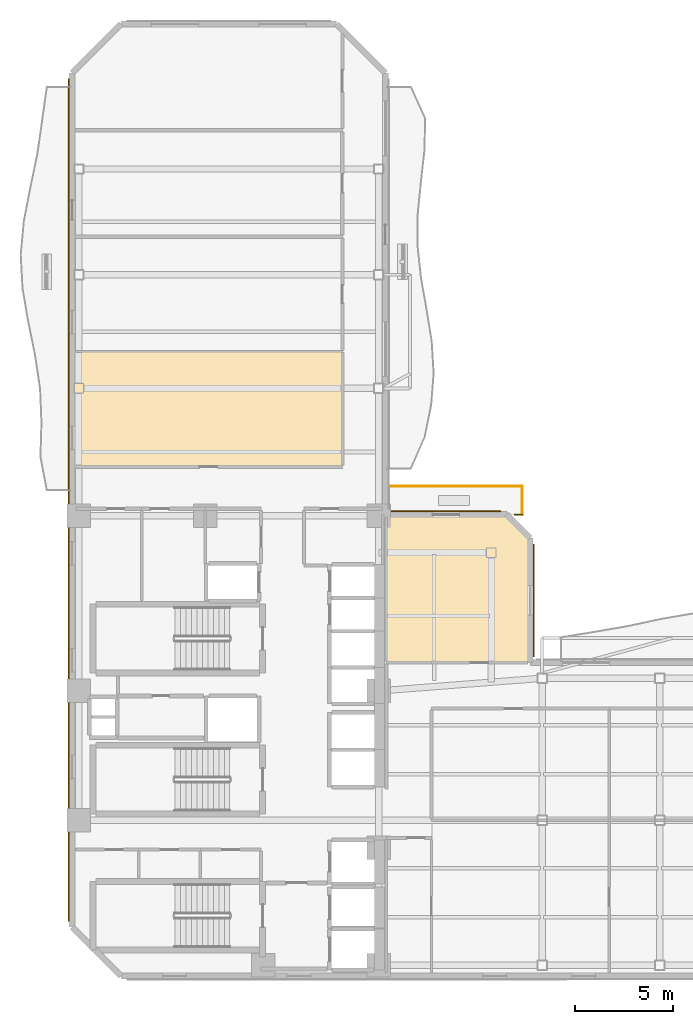
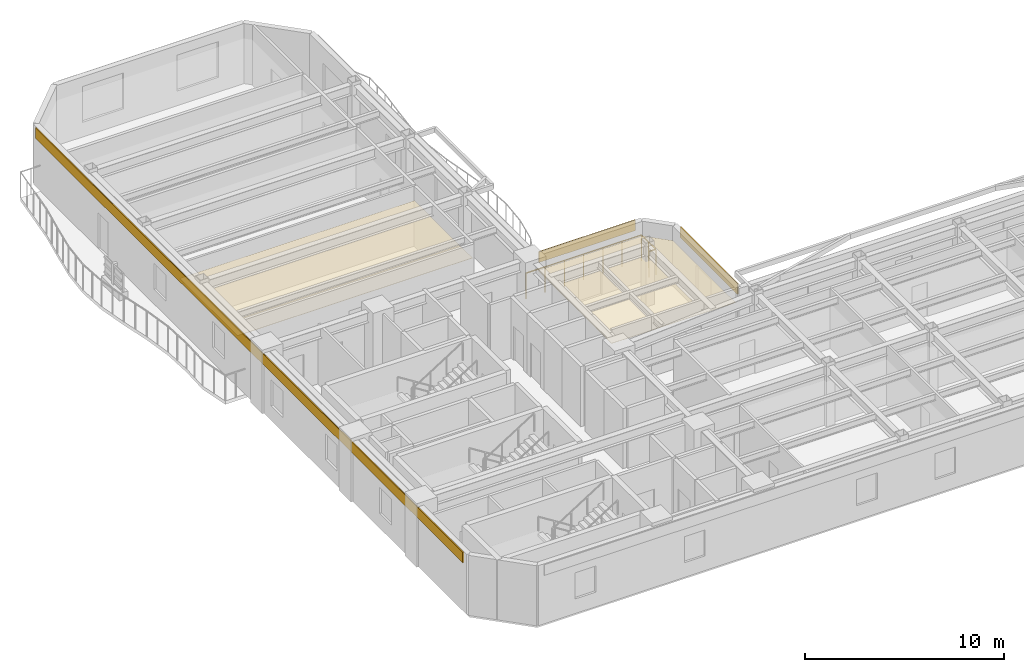
# One storey, part 10 of 12: 5 coverings, 3 railings.
"""IFC4 building model written with IfcOpenShell, lengths in metres."""

from ifc_helpers import new_model, si_unit, direction, frame, origin, origin_2d, place, context, subcontext, project, spatial, polyline, rectangle, outline, extrude, material, layer, layer_set, type_object, element, save


model = new_model("IFC4")

# Units and contexts
model_context = context("Model", 3, precision=1e-05, world=origin(), true_north=direction((0.0, 1.0)))
body_context = subcontext(model_context, "Body", "Model", "MODEL_VIEW")
ifc_project = project(units=[si_unit("LENGTHUNIT", "METRE"), si_unit("AREAUNIT", "SQUARE_METRE"), si_unit("VOLUMEUNIT", "CUBIC_METRE"), si_unit("PLANEANGLEUNIT", "RADIAN"), si_unit("MASSUNIT", "GRAM", prefix="KILO")], contexts=[model_context])

# Site, building, storey
site_placement = place(None, origin())
site = spatial("IfcSite", under=ifc_project, at=site_placement, CompositionType="ELEMENT")
building_placement = place(site_placement, origin())
building = spatial("IfcBuilding", under=site, at=building_placement, Name="Mawjaban Terraces University", CompositionType="ELEMENT")
storey_placement = place(building_placement, frame((0.0, 0.0, 150.199951171875)))
storey = spatial("IfcBuildingStorey", under=building, at=storey_placement, Name="L36", CompositionType="ELEMENT", Elevation=150.199951171875)

# Coverings
ifc_material_1 = material(Name="Acoustic mineral fibre ceiling tile", Category="masonry")
ifc_layer_1 = layer(ifc_material_1, 0.02001953125)
ifc_layer_set_1 = layer_set([ifc_layer_1], Name="Acoustic mineral fibre ceiling tile")
covering_type_1 = type_object("IfcCoveringType", Name="AcousticMineralCeiling_20", PredefinedType="CEILING", material=ifc_layer_set_1)
covering_1_placement = place(storey_placement, frame((0.0, 0.0, 2.75)))
element("IfcCovering", 1, at=covering_1_placement, inside=storey, type_object=covering_type_1, Name="L36 Departmental Office 8 Acoustic Ceiling", PredefinedType="CEILING", context=body_context, shape_type="SweptSolid", body=[
    extrude(outline(polyline([(22.114990234375, 31.845947265625), (22.114990234375, 26.030029296875), (35.77001953125, 26.030029296875), (35.77001953125, 31.845947265625), (22.114990234375, 31.845947265625)])), origin(), (0.0, 0.0, 1.0), 0.02001953125),
])
covering_2_placement = place(storey_placement, frame((0.0, 0.0, 2.75)))
element("IfcCovering", 2, at=covering_2_placement, inside=storey, type_object=covering_type_1, Name="L36 Terrace Collaborative Study Room Acoustic Ceiling", PredefinedType="CEILING", context=body_context, shape_type="SweptSolid", body=[
    extrude(outline(polyline([(45.279052734375, 16.030029296875), (45.279052734375, 22.302978515625), (44.14697265625, 23.43505859375), (38.080078125, 23.43505859375), (38.080078125, 16.030029296875), (45.279052734375, 16.030029296875)])), origin(), (0.0, 0.0, 1.0), 0.02001953125),
])

# Railings
ifc_material_2 = material(Name="Galvanised powder-coated steel S355", Category="steel")
railing_type = type_object("IfcRailingType", Name="BalconyBalustrade_1600", PredefinedType="BALUSTRADE", material=ifc_material_2)
railing_1_placement = place(storey_placement, frame((44.590087890625, 23.550048828125, 0.0)))
element("IfcRailing", 3, at=railing_1_placement, inside=storey, type_object=railing_type, Name="L36 Terrace Guardrail TER-L36-CLIMB.1", PredefinedType="BALUSTRADE", context=body_context, shape_type="SweptSolid", body=[
    extrude(rectangle(XDim=0.048095703125, YDim=0.048095703125, at=origin_2d()), frame((0.0, 0.0, 1.576171875), z_axis=(1.0, 0.0, 0.0), x_axis=(0.0, 1.0, 0.0)), (0.0, 0.0, 1.0), 0.40380859375),
    extrude(rectangle(XDim=0.0419921875, YDim=0.0419921875, at=origin_2d()), origin(), (0.0, 0.0, 1.0), 1.552001953125),
    extrude(rectangle(XDim=0.0419921875, YDim=0.0419921875, at=origin_2d()), frame((0.40380859375, 0.0, 0.0)), (0.0, 0.0, 1.0), 1.552001953125),
])
railing_2_placement = place(storey_placement, frame((44.993896484375, 23.550048828125, 0.0)))
element("IfcRailing", 4, at=railing_2_placement, inside=storey, type_object=railing_type, Name="L36 Terrace Guardrail TER-L36-CLIMB.2", PredefinedType="BALUSTRADE", context=body_context, shape_type="SweptSolid", body=[
    extrude(rectangle(XDim=0.048095703125, YDim=0.048095703125, at=origin_2d()), frame((0.0, 0.0, 1.576171875), z_axis=(0.0, 1.0, 0.0), x_axis=(-1.0, 0.0, 0.0)), (0.0, 0.0, 1.0), 1.449951171875),
    extrude(rectangle(XDim=0.0419921875, YDim=0.0419921875, at=origin_2d()), origin(), (0.0, 0.0, 1.0), 1.552001953125),
    extrude(rectangle(XDim=0.0419921875, YDim=0.0419921875, at=origin_2d()), frame((0.0, 0.72509765625, 0.0)), (0.0, 0.0, 1.0), 1.552001953125),
    extrude(rectangle(XDim=0.0419921875, YDim=0.0419921875, at=origin_2d()), frame((0.0, 1.449951171875, 0.0)), (0.0, 0.0, 1.0), 1.552001953125),
])
railing_3_placement = place(storey_placement, frame((44.993896484375, 25.0, 0.0)))
element("IfcRailing", 5, at=railing_3_placement, inside=storey, type_object=railing_type, Name="L36 Terrace Guardrail TER-L36-CLIMB.3", PredefinedType="BALUSTRADE", context=body_context, shape_type="SweptSolid", body=[
    extrude(rectangle(XDim=0.048095703125, YDim=0.048095703125, at=origin_2d()), frame((0.0, 0.0, 1.576171875), z_axis=(-1.0, 0.0, 0.0), x_axis=(0.0, -1.0, 0.0)), (0.0, 0.0, 1.0), 6.7138671875),
    extrude(rectangle(XDim=0.0419921875, YDim=0.0419921875, at=origin_2d()), origin(), (0.0, 0.0, 1.0), 1.552001953125),
    extrude(rectangle(XDim=0.0419921875, YDim=0.0419921875, at=origin_2d()), frame((-1.118896484375, 0.0, 0.0)), (0.0, 0.0, 1.0), 1.552001953125),
    extrude(rectangle(XDim=0.0419921875, YDim=0.0419921875, at=origin_2d()), frame((-2.238037109375, 0.0, 0.0)), (0.0, 0.0, 1.0), 1.552001953125),
    extrude(rectangle(XDim=0.0419921875, YDim=0.0419921875, at=origin_2d()), frame((-3.35693359375, 0.0, 0.0)), (0.0, 0.0, 1.0), 1.552001953125),
    extrude(rectangle(XDim=0.0419921875, YDim=0.0419921875, at=origin_2d()), frame((-4.475830078125, 0.0, 0.0)), (0.0, 0.0, 1.0), 1.552001953125),
    extrude(rectangle(XDim=0.0419921875, YDim=0.0419921875, at=origin_2d()), frame((-5.594970703125, 0.0, 0.0)), (0.0, 0.0, 1.0), 1.552001953125),
    extrude(rectangle(XDim=0.0419921875, YDim=0.0419921875, at=origin_2d()), frame((-6.7138671875, 0.0, 0.0)), (0.0, 0.0, 1.0), 1.552001953125),
])

# Coverings
ifc_material_3 = material(Name="Glazed architectural terracotta rainscreen", Category="masonry")
ifc_layer_2 = layer(ifc_material_3, 0.06005859375)
ifc_layer_set_2 = layer_set([ifc_layer_2], Name="Glazed architectural terracotta rainscreen")
covering_type_2 = type_object("IfcCoveringType", Name="TerracottaSpandrelCladding_60", PredefinedType="CLADDING", material=ifc_layer_set_2)
covering_3_placement = place(storey_placement, frame((45.569091796875, 19.175048828125, 3.01513671875), z_axis=(0.0, 0.0, 1.0), x_axis=(0.0, 1.0, 0.0)))
element("IfcCovering", 6, at=covering_3_placement, inside=storey, type_object=covering_type_2, Name="L36 Terracotta Spandrel Cladding 6", PredefinedType="CLADDING", context=body_context, shape_type="SweptSolid", body=[
    extrude(rectangle(XDim=5.75, YDim=0.06005859375, at=origin_2d()), origin(), (0.0, 0.0, 1.0), 0.64990234375),
])
covering_4_placement = place(storey_placement, frame((41.096923828125, 23.72509765625, 3.01513671875), z_axis=(0.0, 0.0, 1.0), x_axis=(-1.0, 0.0, 0.0)))
element("IfcCovering", 7, at=covering_4_placement, inside=storey, type_object=covering_type_2, Name="L36 Terracotta Spandrel Cladding 8", PredefinedType="CLADDING", context=body_context, shape_type="SweptSolid", body=[
    extrude(rectangle(XDim=5.593994140625, YDim=0.06005859375, at=origin_2d()), origin(), (0.0, 0.0, 1.0), 0.64990234375),
])
covering_5_placement = place(storey_placement, frame((21.824951171875, 24.300048828125, 3.01513671875), z_axis=(0.0, 0.0, 1.0), x_axis=(0.0, -1.0, 0.0)))
element("IfcCovering", 8, at=covering_5_placement, inside=storey, type_object=covering_type_2, Name="L36 Terracotta Spandrel Cladding 13", PredefinedType="CLADDING", context=body_context, shape_type="SweptSolid", body=[
    extrude(rectangle(XDim=43.0, YDim=0.06005859375, at=origin_2d()), origin(), (0.0, 0.0, 1.0), 0.64990234375),
])

save(model, "model.ifc")
